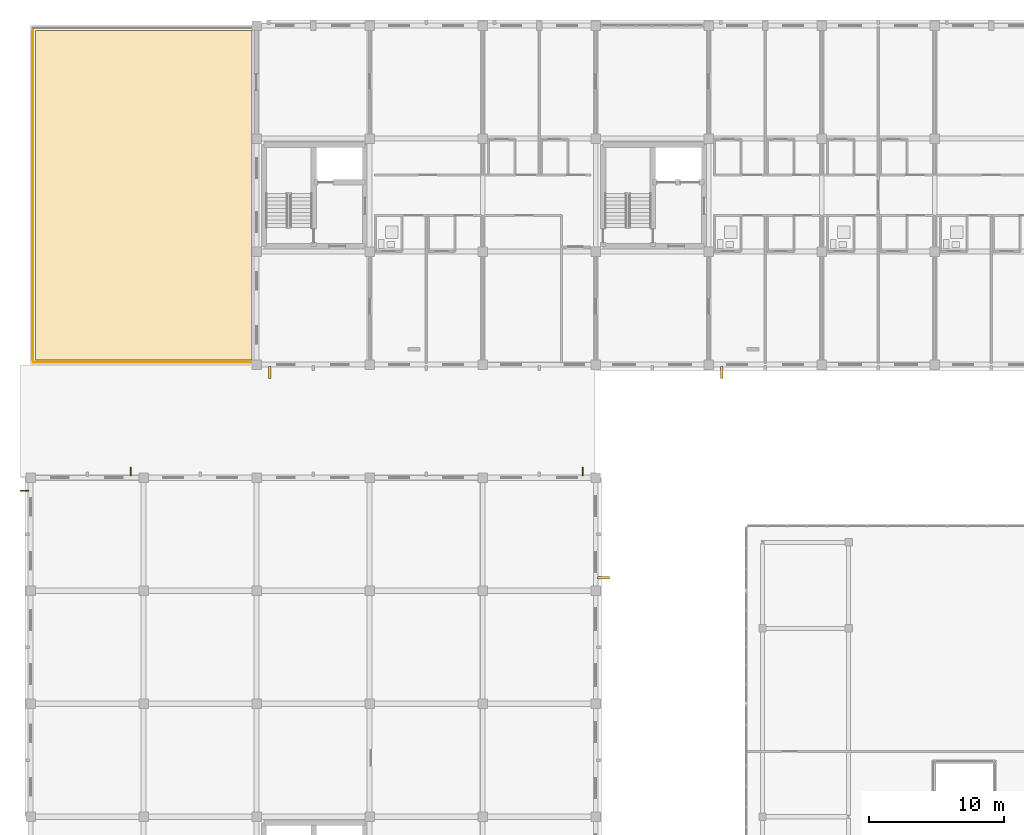
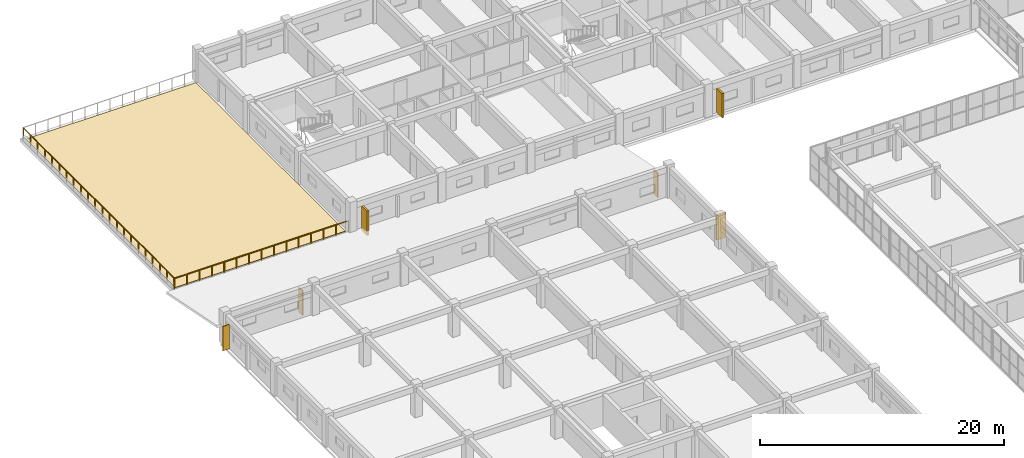
# One storey, part 142 of 148: 6 shading devices, 2 railings, 1 covering.
"""IFC4 building model written with IfcOpenShell, lengths in metres."""

from ifc_helpers import new_model, si_unit, direction, frame, origin, origin_2d, place, context, subcontext, project, spatial, polyline, rectangle, circle, outline, extrude, material, layer, layer_set, type_object, element, save


model = new_model("IFC4")

# Units and contexts
model_context = context("Model", 3, precision=1e-05, world=origin(), true_north=direction((0.0, 1.0)))
body_context = subcontext(model_context, "Body", "Model", "MODEL_VIEW")
ifc_project = project(units=[si_unit("LENGTHUNIT", "METRE"), si_unit("AREAUNIT", "SQUARE_METRE"), si_unit("VOLUMEUNIT", "CUBIC_METRE"), si_unit("PLANEANGLEUNIT", "RADIAN"), si_unit("MASSUNIT", "GRAM", prefix="KILO")], contexts=[model_context])

# Site, building, storey
site_placement = place(None, origin())
site = spatial("IfcSite", under=ifc_project, at=site_placement, CompositionType="ELEMENT")
building_placement = place(site_placement, origin())
building = spatial("IfcBuilding", under=site, at=building_placement, Name="Trelvath General Hospital", CompositionType="ELEMENT")
storey_placement = place(building_placement, frame((0.0, 0.0, 12.89990234375)))
storey = spatial("IfcBuildingStorey", under=building, at=storey_placement, Name="L03", CompositionType="ELEMENT", Elevation=12.89990234375)

# Shading devices
ifc_material_1 = material(Name="Precast concrete C40/50", Category="concrete")
shading_device_type_1 = type_object("IfcShadingDeviceType", Name="BriseSoleil PrecastFin900", PredefinedType="JALOUSIE", material=ifc_material_1)
for number, where, z_axis, x_axis, name in (
    (1, (17.76171875, 91.81005859375, 0.000244140625), (0.0, 0.0, 1.0), (0.0, -1.0, 0.0), "Solar Brise-Soleil Screen L03-56"),
    (2, (42.590087890625, 76.561767578125, 0.000244140625), (0.0, 0.0, 1.0), (1.0, 0.0, 0.0), "Solar Brise-Soleil Screen L03-60"),
    (3, (51.36181640625, 91.81005859375, 0.000244140625), (0.0, 0.0, 1.0), (0.0, -1.0, 0.0), "Solar Brise-Soleil Screen L03-61"),
):
    element("IfcShadingDevice", number, at=place(storey_placement, frame(where, z_axis=z_axis, x_axis=x_axis)), inside=storey, type_object=shading_device_type_1, Name=name, PredefinedType="JALOUSIE", context=body_context, shape_type="SweptSolid", body=[
        extrude(rectangle(XDim=0.89990234375, YDim=0.179931640625, at=origin_2d()), origin(), (0.0, 0.0, 1.0), 2.43994140625),
    ])

# Railings
ifc_material_2 = material(Name="Architectural painted steel", Category="steel")
railing_type = type_object("IfcRailingType", Name="Guardrail Terrace1150", PredefinedType="GUARDRAIL", material=ifc_material_2)
railing_1_placement = place(storey_placement, frame((0.179931640625, 92.639892578125, 0.0)))
element("IfcRailing", 4, at=railing_1_placement, inside=storey, type_object=railing_type, Name="Planted Terrace Guardrail TERR-OR-NW3 W 4", PredefinedType="GUARDRAIL", context=body_context, shape_type="SweptSolid", body=[
    extrude(circle(Radius=0.02392578125, at=origin_2d()), frame((0.0, 0.0, 1.1259765625), z_axis=(0.0, 1.0, 0.0), x_axis=(-1.0, 0.0, 0.0)), (0.0, 0.0, 1.0), 24.72021484375),
    extrude(circle(Radius=0.02099609375, at=origin_2d()), origin(), (0.0, 0.0, 1.0), 1.099853515625),
    extrude(circle(Radius=0.02099609375, at=origin_2d()), frame((0.0, 1.17724609375, 0.0)), (0.0, 0.0, 1.0), 1.099853515625),
    extrude(circle(Radius=0.02099609375, at=origin_2d()), frame((0.0, 2.354248046875, 0.0)), (0.0, 0.0, 1.0), 1.099853515625),
    extrude(circle(Radius=0.02099609375, at=origin_2d()), frame((0.0, 3.531494140625, 0.0)), (0.0, 0.0, 1.0), 1.099853515625),
    extrude(circle(Radius=0.02099609375, at=origin_2d()), frame((0.0, 4.70849609375, 0.0)), (0.0, 0.0, 1.0), 1.099853515625),
    extrude(circle(Radius=0.02099609375, at=origin_2d()), frame((0.0, 5.8857421875, 0.0)), (0.0, 0.0, 1.0), 1.099853515625),
    extrude(circle(Radius=0.02099609375, at=origin_2d()), frame((0.0, 7.06298828125, 0.0)), (0.0, 0.0, 1.0), 1.099853515625),
    extrude(circle(Radius=0.02099609375, at=origin_2d()), frame((0.0, 8.239990234375, 0.0)), (0.0, 0.0, 1.0), 1.099853515625),
    extrude(circle(Radius=0.02099609375, at=origin_2d()), frame((0.0, 9.417236328125, 0.0)), (0.0, 0.0, 1.0), 1.099853515625),
    extrude(circle(Radius=0.02099609375, at=origin_2d()), frame((0.0, 10.594482421875, 0.0)), (0.0, 0.0, 1.0), 1.099853515625),
    extrude(circle(Radius=0.02099609375, at=origin_2d()), frame((0.0, 11.771484375, 0.0)), (0.0, 0.0, 1.0), 1.099853515625),
    extrude(circle(Radius=0.02099609375, at=origin_2d()), frame((0.0, 12.94873046875, 0.0)), (0.0, 0.0, 1.0), 1.099853515625),
    extrude(circle(Radius=0.02099609375, at=origin_2d()), frame((0.0, 14.125732421875, 0.0)), (0.0, 0.0, 1.0), 1.099853515625),
    extrude(circle(Radius=0.02099609375, at=origin_2d()), frame((0.0, 15.302978515625, 0.0)), (0.0, 0.0, 1.0), 1.099853515625),
    extrude(circle(Radius=0.02099609375, at=origin_2d()), frame((0.0, 16.480224609375, 0.0)), (0.0, 0.0, 1.0), 1.099853515625),
    extrude(circle(Radius=0.02099609375, at=origin_2d()), frame((0.0, 17.6572265625, 0.0)), (0.0, 0.0, 1.0), 1.099853515625),
    extrude(circle(Radius=0.02099609375, at=origin_2d()), frame((0.0, 18.83447265625, 0.0)), (0.0, 0.0, 1.0), 1.099853515625),
    extrude(circle(Radius=0.02099609375, at=origin_2d()), frame((0.0, 20.01171875, 0.0)), (0.0, 0.0, 1.0), 1.099853515625),
    extrude(circle(Radius=0.02099609375, at=origin_2d()), frame((0.0, 21.188720703125, 0.0)), (0.0, 0.0, 1.0), 1.099853515625),
    extrude(circle(Radius=0.02099609375, at=origin_2d()), frame((0.0, 22.365966796875, 0.0)), (0.0, 0.0, 1.0), 1.099853515625),
    extrude(circle(Radius=0.02099609375, at=origin_2d()), frame((0.0, 23.54296875, 0.0)), (0.0, 0.0, 1.0), 1.099853515625),
    extrude(circle(Radius=0.02099609375, at=origin_2d()), frame((0.0, 24.72021484375, 0.0)), (0.0, 0.0, 1.0), 1.099853515625),
])
railing_2_placement = place(storey_placement, frame((0.179931640625, 92.580078125, 0.0)))
element("IfcRailing", 5, at=railing_2_placement, inside=storey, type_object=railing_type, Name="Planted Terrace Guardrail TERR-OR-NW3 S 5", PredefinedType="GUARDRAIL", context=body_context, shape_type="SweptSolid", body=[
    extrude(circle(Radius=0.02392578125, at=origin_2d()), frame((0.0, 0.0, 1.1259765625), z_axis=(1.0, 0.0, 0.0), x_axis=(0.0, 1.0, 0.0)), (0.0, 0.0, 1.0), 16.440185546875),
    extrude(circle(Radius=0.02099609375, at=origin_2d()), origin(), (0.0, 0.0, 1.0), 1.099853515625),
    extrude(circle(Radius=0.02099609375, at=origin_2d()), frame((1.17431640625, 0.0, 0.0)), (0.0, 0.0, 1.0), 1.099853515625),
    extrude(circle(Radius=0.02099609375, at=origin_2d()), frame((2.3486328125, 0.0, 0.0)), (0.0, 0.0, 1.0), 1.099853515625),
    extrude(circle(Radius=0.02099609375, at=origin_2d()), frame((3.52294921875, 0.0, 0.0)), (0.0, 0.0, 1.0), 1.099853515625),
    extrude(circle(Radius=0.02099609375, at=origin_2d()), frame((4.697265625, 0.0, 0.0)), (0.0, 0.0, 1.0), 1.099853515625),
    extrude(circle(Radius=0.02099609375, at=origin_2d()), frame((5.87158203125, 0.0, 0.0)), (0.0, 0.0, 1.0), 1.099853515625),
    extrude(circle(Radius=0.02099609375, at=origin_2d()), frame((7.0458984375, 0.0, 0.0)), (0.0, 0.0, 1.0), 1.099853515625),
    extrude(circle(Radius=0.02099609375, at=origin_2d()), frame((8.22021484375, 0.0, 0.0)), (0.0, 0.0, 1.0), 1.099853515625),
    extrude(circle(Radius=0.02099609375, at=origin_2d()), frame((9.394287109375, 0.0, 0.0)), (0.0, 0.0, 1.0), 1.099853515625),
    extrude(circle(Radius=0.02099609375, at=origin_2d()), frame((10.568603515625, 0.0, 0.0)), (0.0, 0.0, 1.0), 1.099853515625),
    extrude(circle(Radius=0.02099609375, at=origin_2d()), frame((11.742919921875, 0.0, 0.0)), (0.0, 0.0, 1.0), 1.099853515625),
    extrude(circle(Radius=0.02099609375, at=origin_2d()), frame((12.917236328125, 0.0, 0.0)), (0.0, 0.0, 1.0), 1.099853515625),
    extrude(circle(Radius=0.02099609375, at=origin_2d()), frame((14.091552734375, 0.0, 0.0)), (0.0, 0.0, 1.0), 1.099853515625),
    extrude(circle(Radius=0.02099609375, at=origin_2d()), frame((15.265869140625, 0.0, 0.0)), (0.0, 0.0, 1.0), 1.099853515625),
    extrude(circle(Radius=0.02099609375, at=origin_2d()), frame((16.440185546875, 0.0, 0.0)), (0.0, 0.0, 1.0), 1.099853515625),
])

# Covering
ifc_material_3 = material(Name="Planted green roof substrate")
ifc_layer = layer(ifc_material_3, 0.179931640625)
ifc_layer_set = layer_set([ifc_layer], Name="Planted green roof substrate")
covering_type = type_object("IfcCoveringType", Name="Roofing PlantedGarden", PredefinedType="ROOFING", material=ifc_layer_set)
covering_placement = place(storey_placement, origin())
element("IfcCovering", 6, at=covering_placement, inside=storey, type_object=covering_type, Name="Planted Terrace Substrate TERR-OR-NW3", PredefinedType="ROOFING", context=body_context, shape_type="SweptSolid", body=[
    extrude(outline(polyline([(0.35009765625, 92.75), (16.449951171875, 92.75), (16.449951171875, 117.25), (0.35009765625, 117.25), (0.35009765625, 92.75)])), origin(), (0.0, 0.0, 1.0), 0.0400390625),
])

# Shading devices
ifc_material_4 = material(Name="Anodised aluminium", Category="aluminium")
shading_device_type_2 = type_object("IfcShadingDeviceType", Name="SolarScreen PerforatedAlu", PredefinedType="JALOUSIE", material=ifc_material_4)
for number, where, z_axis, x_axis, name in (
    (7, (7.438232421875, 84.465087890625, 0.000244140625), (0.0, 0.0, 1.0), (0.0, 1.0, 0.0), "Solar Brise-Soleil Screen L03-53"),
    (8, (-0.465087890625, 83.0380859375, 0.000244140625), (0.0, 0.0, 1.0), (-1.0, 0.0, 0.0), "Solar Brise-Soleil Screen L03-54"),
    (9, (41.0380859375, 84.465087890625, 0.000244140625), (0.0, 0.0, 1.0), (0.0, 1.0, 0.0), "Solar Brise-Soleil Screen L03-59"),
):
    element("IfcShadingDevice", number, at=place(storey_placement, frame(where, z_axis=z_axis, x_axis=x_axis)), inside=storey, type_object=shading_device_type_2, Name=name, PredefinedType="JALOUSIE", context=body_context, shape_type="SweptSolid", body=[
        extrude(rectangle(XDim=0.64990234375, YDim=0.080078125, at=origin_2d()), origin(), (0.0, 0.0, 1.0), 2.43994140625),
    ])

save(model, "model.ifc")
